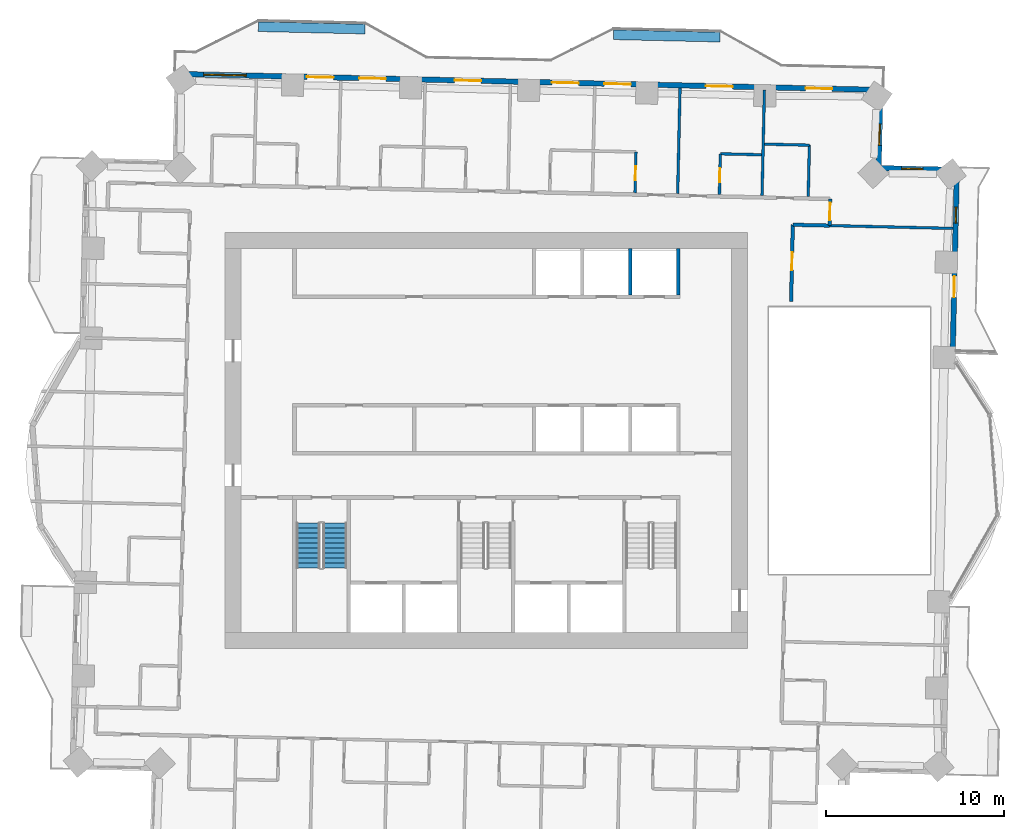
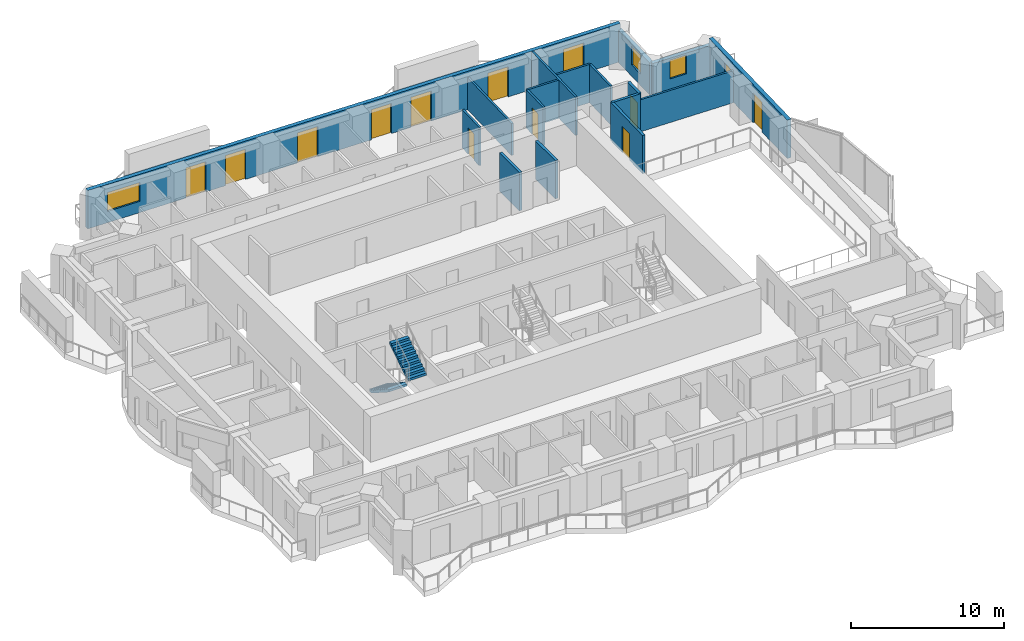
# One storey, part 10 of 15: 19 walls, 12 doors, 4 windows, 2 stair flights, 16 openings, 1 element without a shape of its own.
"""IFC4 building model written with IfcOpenShell, lengths in metres."""

from ifc_helpers import new_model, si_unit, direction, frame, frame_2d, origin, place, context, subcontext, project, spatial, polyline, rectangle, outline, extrude, material, layer, layer_set, type_object, element, fill, aggregate, save


model = new_model("IFC4")

# Units and contexts
model_context = context("Model", 3, precision=1e-05, world=origin(), true_north=direction((0.0, 1.0)))
body_context = subcontext(model_context, "Body", "Model", "MODEL_VIEW")
ifc_project = project(units=[si_unit("LENGTHUNIT", "METRE"), si_unit("AREAUNIT", "SQUARE_METRE"), si_unit("VOLUMEUNIT", "CUBIC_METRE"), si_unit("PLANEANGLEUNIT", "RADIAN"), si_unit("MASSUNIT", "GRAM", prefix="KILO")], contexts=[model_context])

# Site, building, storey
site_placement = place(None, origin())
site = spatial("IfcSite", under=ifc_project, at=site_placement, CompositionType="ELEMENT")
building_placement = place(site_placement, origin())
building = spatial("IfcBuilding", under=site, at=building_placement, Name="Mangrove Gate Tower", CompositionType="ELEMENT")
storey_placement = place(building_placement, frame((0.0, 0.0, 156.300048828125)))
storey = spatial("IfcBuildingStorey", under=building, at=storey_placement, Name="L39", CompositionType="ELEMENT", Elevation=156.300048828125)

# Walls
ifc_material_1 = material(Name="Concrete C60/75", Category="concrete")
ifc_layer_1 = layer(ifc_material_1, 0.199951171875)
ifc_layer_set_1 = layer_set([ifc_layer_1], Name="Core shaft wall 200 C60/75")
wall_type_1 = type_object("IfcWallType", Name="Core shaft wall 200 C60/75", PredefinedType="SHEAR", material=ifc_layer_set_1)
for number, where, z_axis, x_axis, name in (
    (1, (8.10009765625, 8.199951171875, 0.0), (0.0, 0.0, 1.0), (0.0, 1.0, 0.0), "WALL-L39-CORE-28"),
    (2, (10.800048828125, 8.199951171875, 0.0), (0.0, 0.0, 1.0), (0.0, 1.0, 0.0), "WALL-L39-CORE-29"),
):
    element("IfcWall", number, at=place(storey_placement, frame(where, z_axis=z_axis, x_axis=x_axis)), inside=storey, type_object=wall_type_1, Name=name, PredefinedType="SHEAR", context=body_context, shape_type="SweptSolid", body=[
        extrude(rectangle(XDim=2.60009765625, YDim=0.199951171875, at=frame_2d((1.300048828125, 0.0))), origin(), (0.0, 0.0, 1.0), 3.050048828125),
    ])

# Wall, opening, door
ifc_material_2 = material(Name="Gypsum board on steel stud, EI 60", Category="steel")
ifc_layer_2 = layer(ifc_material_2, 0.199951171875)
ifc_layer_set_2 = layer_set([ifc_layer_2], Name="Corridor wall EI 60")
wall_type_2 = type_object("IfcWallType", Name="Corridor wall EI 60", PredefinedType="PARTITIONING", material=ifc_layer_set_2)
wall_1_placement = place(storey_placement, frame((17.14892578125, 7.83203125, 0.0), z_axis=(0.0, 0.0, 1.0), x_axis=(0.022729111383, 0.999741660378, 0.0)))
wall_1 = element("IfcWall", 3, at=wall_1_placement, inside=storey, type_object=wall_type_2, Name="WALL-L39-048", PredefinedType="PARTITIONING", context=body_context, shape_type="SweptSolid", body=[
    extrude(rectangle(XDim=4.318115234375, YDim=0.199951171875, at=frame_2d((2.1591796875, 0.0))), origin(), (0.0, 0.0, 1.0), 3.050048828125),
])
opening_1_placement = place(wall_1_placement, frame((1.760986328125, 0.0, 0.0)))
opening_1 = element("IfcOpeningElement", 4, at=opening_1_placement, cuts=wall_1, Name="Opening AD", PredefinedType="OPENING", context=body_context, shape_type="SweptSolid", body=[
    extrude(rectangle(XDim=1.0, YDim=2.10009765625, at=frame_2d((0.5, 1.050048828125))), frame((0.0, 0.10986328125, 0.0), z_axis=(0.0, -1.0, 0.0), x_axis=(1.0, 0.0, 0.0)), (0.0, 0.0, 1.0), 0.219970703125),
])
ifc_material_3 = material(Name="Timber door leaf", Category="wood")
door_type_1 = type_object("IfcDoorType", Name="Amenity door 1000", OperationType="SINGLE_SWING_LEFT", PredefinedType="DOOR", material=ifc_material_3)
door_1_placement = place(opening_1_placement, origin())
door_1 = element("IfcDoor", 5, at=door_1_placement, inside=storey, type_object=door_type_1, Name="DOOR-L39-LNG-c3a", OperationType="SINGLE_SWING_RIGHT", OverallHeight=2.10009765625, OverallWidth=1.0, PredefinedType="DOOR", context=body_context, shape_type="SweptSolid", body=[
    extrude(rectangle(XDim=1.0, YDim=2.10009765625, at=frame_2d((0.5, 1.050048828125))), frame((0.0, 0.02490234375, 0.0), z_axis=(0.0, -1.0, 0.0), x_axis=(1.0, 0.0, 0.0)), (0.0, 0.0, 1.0), 0.050048828125),
])
fill(opening_1, door_1)

# Wall
wall_2_placement = place(storey_placement, frame((17.248046875, 12.14892578125, 0.0), z_axis=(0.0, 0.0, 1.0), x_axis=(0.999742931749, -0.02267312106, 0.0)))
element("IfcWall", 6, at=wall_2_placement, inside=storey, type_object=wall_type_2, Name="WALL-L39-054", PredefinedType="PARTITIONING", context=body_context, shape_type="SweptSolid", body=[
    extrude(rectangle(XDim=2.0673828125, YDim=0.199951171875, at=frame_2d((1.03369140625, 0.0))), origin(), (0.0, 0.0, 1.0), 3.050048828125),
])

# Wall, opening, door
wall_3_placement = place(storey_placement, frame((19.31689453125, 12.10205078125, 0.0), z_axis=(0.0, 0.0, 1.0), x_axis=(0.02279537805, 0.999740151609, 0.0)))
wall_3 = element("IfcWall", 7, at=wall_3_placement, inside=storey, type_object=wall_type_2, Name="WALL-L39-056", PredefinedType="PARTITIONING", context=body_context, shape_type="SweptSolid", body=[
    extrude(rectangle(XDim=1.49951171875, YDim=0.199951171875, at=frame_2d((0.749755859375, 0.0))), origin(), (0.0, 0.0, 1.0), 3.050048828125),
])
opening_2_placement = place(wall_3_placement, frame((0.300048828125, 0.0, 0.0)))
opening_2 = element("IfcOpeningElement", 8, at=opening_2_placement, cuts=wall_3, Name="Opening AD", PredefinedType="OPENING", context=body_context, shape_type="SweptSolid", body=[
    extrude(rectangle(XDim=1.0, YDim=2.10009765625, at=frame_2d((0.5, 1.050048828125))), frame((0.0, 0.10986328125, 0.0), z_axis=(0.0, -1.0, 0.0), x_axis=(1.0, 0.0, 0.0)), (0.0, 0.0, 1.0), 0.219970703125),
])
door_2_placement = place(opening_2_placement, origin())
door_2 = element("IfcDoor", 9, at=door_2_placement, inside=storey, type_object=door_type_1, Name="DOOR-L39-GAM-c3a", OperationType="SINGLE_SWING_LEFT", OverallHeight=2.10009765625, OverallWidth=1.0, PredefinedType="DOOR", context=body_context, shape_type="SweptSolid", body=[
    extrude(rectangle(XDim=1.0, YDim=2.10009765625, at=frame_2d((0.5, 1.050048828125))), frame((0.0, 0.02490234375, 0.0), z_axis=(0.0, -1.0, 0.0), x_axis=(1.0, 0.0, 0.0)), (0.0, 0.0, 1.0), 0.050048828125),
])
fill(opening_2, door_2)

# Wall, openings, door, window
ifc_material_4 = material(Name="Limestone", Category="masonry")
ifc_layer_3 = layer(ifc_material_4, 0.0400390625, Name="Limestone cladding")
ifc_material_5 = material(Name="Ventilated air gap")
ifc_layer_4 = layer(ifc_material_5, 0.0400390625, Name="Ventilated cavity")
ifc_material_6 = material(Name="Mineral wool insulation")
ifc_layer_5 = layer(ifc_material_6, 0.06005859375, Name="Insulation")
ifc_material_7 = material(Name="Breather membrane")
ifc_layer_6 = layer(ifc_material_7, 0.001953125, Name="Breather membrane")
ifc_material_8 = material(Name="Concrete C20/25 blockwork", Category="masonry")
ifc_layer_7 = layer(ifc_material_8, 0.14990234375, Name="Blockwork backing wall")
ifc_material_9 = material(Name="Gypsum plaster")
ifc_layer_8 = layer(ifc_material_9, 0.008056640625, Name="Internal plaster")
ifc_layer_set_3 = layer_set([ifc_layer_3, ifc_layer_4, ifc_layer_5, ifc_layer_6, ifc_layer_7, ifc_layer_8], Name="External wall 300 limestone cladding")
wall_type_3 = type_object("IfcWallType", Name="External wall 300 limestone cladding", PredefinedType="SOLIDWALL", material=ifc_layer_set_3)
wall_4_placement = place(storey_placement, frame((26.238037109375, 4.613037109375, 0.0), z_axis=(0.0, 0.0, 1.0), x_axis=(0.022761056451, 0.999740933597, 0.0)))
wall_4 = element("IfcWall", 10, at=wall_4_placement, inside=storey, type_object=wall_type_3, Name="WALL-L39-E2", PredefinedType="SOLIDWALL", context=body_context, shape_type="SweptSolid", body=[
    extrude(rectangle(XDim=10.629638671875, YDim=0.300048828125, at=frame_2d((5.31494140625, 0.0))), origin(), (0.0, 0.0, 1.0), 3.050048828125),
])
opening_3_placement = place(wall_4_placement, frame((3.452880859375, 0.0, 0.0)))
opening_3 = element("IfcOpeningElement", 11, at=opening_3_placement, cuts=wall_4, Name="Opening BD2", PredefinedType="OPENING", context=body_context, shape_type="SweptSolid", body=[
    extrude(rectangle(XDim=1.199951171875, YDim=2.39990234375, at=frame_2d((0.60009765625, 1.199951171875))), frame((0.0, 0.159912109375, 0.0), z_axis=(0.0, -1.0, 0.0), x_axis=(1.0, 0.0, 0.0)), (0.0, 0.0, 1.0), 0.320068359375),
])
opening_4_placement = place(wall_4_placement, frame((7.62890625, 0.0, 0.89990234375)))
opening_4 = element("IfcOpeningElement", 12, at=opening_4_placement, cuts=wall_4, Name="Opening W5", PredefinedType="OPENING", context=body_context, shape_type="SweptSolid", body=[
    extrude(rectangle(XDim=0.89990234375, YDim=1.5, at=frame_2d((0.449951171875, 0.75))), frame((0.0, 0.159912109375, 0.0), z_axis=(0.0, -1.0, 0.0), x_axis=(1.0, 0.0, 0.0)), (0.0, 0.0, 1.0), 0.320068359375),
])
ifc_material_10 = material(Name="Aluminium frame with laminated clear glass", Category="aluminium")
door_type_2 = type_object("IfcDoorType", Name="Balcony sliding door 1200x2400", OperationType="SLIDING_TO_LEFT", PredefinedType="DOOR", material=ifc_material_10)
door_3_placement = place(opening_3_placement, origin())
door_3 = element("IfcDoor", 13, at=door_3_placement, inside=storey, type_object=door_type_2, Name="DOOR-L39-E2-1", OperationType="SLIDING_TO_LEFT", OverallHeight=2.39990234375, OverallWidth=1.199951171875, PredefinedType="DOOR", context=body_context, shape_type="SweptSolid", body=[
    extrude(rectangle(XDim=1.199951171875, YDim=2.39990234375, at=frame_2d((0.60009765625, 1.199951171875))), frame((0.0, 0.02490234375, 0.0), z_axis=(0.0, -1.0, 0.0), x_axis=(1.0, 0.0, 0.0)), (0.0, 0.0, 1.0), 0.050048828125),
])
fill(opening_3, door_3)
ifc_material_11 = material(Name="Aluminium frame with double-glazed low-e glass", Category="aluminium")
window_type_1 = type_object("IfcWindowType", Name="Narrow window 900x1500", PartitioningType="SINGLE_PANEL", PredefinedType="WINDOW", material=ifc_material_11)
window_1_placement = place(opening_4_placement, origin())
window_1 = element("IfcWindow", 14, at=window_1_placement, inside=storey, type_object=window_type_1, Name="WIN-L39-E2-2", OverallHeight=1.5, OverallWidth=0.89990234375, PartitioningType="SINGLE_PANEL", PredefinedType="WINDOW", context=body_context, shape_type="SweptSolid", body=[
    extrude(rectangle(XDim=0.89990234375, YDim=1.5, at=frame_2d((0.449951171875, 0.75))), frame((0.0, 0.030029296875, 0.0), z_axis=(0.0, -1.0, 0.0), x_axis=(1.0, 0.0, 0.0)), (0.0, 0.0, 1.0), 0.06005859375),
])
fill(opening_4, window_1)

# Wall, opening, window
wall_5_placement = place(storey_placement, frame((26.47998046875, 15.239990234375, 0.0), z_axis=(0.0, 0.0, 1.0), x_axis=(-0.999741204967, 0.022749133868, 0.0)))
wall_5 = element("IfcWall", 15, at=wall_5_placement, inside=storey, type_object=wall_type_3, Name="WALL-L39-N3", PredefinedType="SOLIDWALL", context=body_context, shape_type="SweptSolid", body=[
    extrude(rectangle(XDim=4.400146484375, YDim=0.300048828125, at=frame_2d((2.2001953125, 0.0))), origin(), (0.0, 0.0, 1.0), 2.550048828125),
])
opening_5_placement = place(wall_5_placement, frame((1.909912109375, 0.0, 0.89990234375)))
opening_5 = element("IfcOpeningElement", 16, at=opening_5_placement, cuts=wall_5, Name="Opening W1", PredefinedType="OPENING", context=body_context, shape_type="SweptSolid", body=[
    extrude(rectangle(XDim=1.199951171875, YDim=1.5, at=frame_2d((0.60009765625, 0.75))), frame((0.0, 0.159912109375, 0.0), z_axis=(0.0, -1.0, 0.0), x_axis=(1.0, 0.0, 0.0)), (0.0, 0.0, 1.0), 0.320068359375),
])
ifc_material_12 = material(Name="Aluminium frame with double-glazed low-e glass", Category="aluminium")
window_type_2 = type_object("IfcWindowType", Name="Side lite 1200x1500", PartitioningType="SINGLE_PANEL", PredefinedType="WINDOW", material=ifc_material_12)
window_2_placement = place(opening_5_placement, origin())
window_2 = element("IfcWindow", 17, at=window_2_placement, inside=storey, type_object=window_type_2, Name="WIN-L39-N3-1", OverallHeight=1.5, OverallWidth=1.199951171875, PartitioningType="SINGLE_PANEL", PredefinedType="WINDOW", context=body_context, shape_type="SweptSolid", body=[
    extrude(rectangle(XDim=1.199951171875, YDim=1.5, at=frame_2d((0.60009765625, 0.75))), frame((0.0, 0.030029296875, 0.0), z_axis=(0.0, -1.0, 0.0), x_axis=(1.0, 0.0, 0.0)), (0.0, 0.0, 1.0), 0.06005859375),
])
fill(opening_5, window_2)

wall_6_placement = place(storey_placement, frame((22.0810546875, 15.340087890625, 0.0), z_axis=(0.0, 0.0, 1.0), x_axis=(0.022693676786, 0.999742465355, 0.0)))
wall_6 = element("IfcWall", 18, at=wall_6_placement, inside=storey, type_object=wall_type_3, Name="WALL-L39-E4", PredefinedType="SOLIDWALL", context=body_context, shape_type="SweptSolid", body=[
    extrude(rectangle(XDim=4.400146484375, YDim=0.300048828125, at=frame_2d((2.2001953125, 0.0))), origin(), (0.0, 0.0, 1.0), 2.550048828125),
])
opening_6_placement = place(wall_6_placement, frame((1.277099609375, 0.0, 0.89990234375)))
opening_6 = element("IfcOpeningElement", 19, at=opening_6_placement, cuts=wall_6, Name="Opening W1", PredefinedType="OPENING", context=body_context, shape_type="SweptSolid", body=[
    extrude(rectangle(XDim=1.199951171875, YDim=1.5, at=frame_2d((0.60009765625, 0.75))), frame((0.0, 0.159912109375, 0.0), z_axis=(0.0, -1.0, 0.0), x_axis=(1.0, 0.0, 0.0)), (0.0, 0.0, 1.0), 0.320068359375),
])
window_3_placement = place(opening_6_placement, origin())
window_3 = element("IfcWindow", 20, at=window_3_placement, inside=storey, type_object=window_type_2, Name="WIN-L39-E4-1", OverallHeight=1.5, OverallWidth=1.199951171875, PartitioningType="SINGLE_PANEL", PredefinedType="WINDOW", context=body_context, shape_type="SweptSolid", body=[
    extrude(rectangle(XDim=1.199951171875, YDim=1.5, at=frame_2d((0.60009765625, 0.75))), frame((0.0, 0.030029296875, 0.0), z_axis=(0.0, -1.0, 0.0), x_axis=(1.0, 0.0, 0.0)), (0.0, 0.0, 1.0), 0.06005859375),
])
fill(opening_6, window_3)

# Wall, openings, doors, window
wall_7_placement = place(storey_placement, frame((22.180908203125, 19.739013671875, 0.0), z_axis=(0.0, 0.0, 1.0), x_axis=(-0.999742618326, 0.022686936846, 0.0)))
wall_7 = element("IfcWall", 21, at=wall_7_placement, inside=storey, type_object=wall_type_3, Name="WALL-L39-N5", PredefinedType="SOLIDWALL", context=body_context, shape_type="SweptSolid", body=[
    extrude(rectangle(XDim=39.580078125, YDim=0.300048828125, at=frame_2d((19.7900390625, 0.0))), origin(), (0.0, 0.0, 1.0), 3.050048828125),
])
opening_7_placement = place(wall_7_placement, frame((2.716064453125, 0.0, 0.0)))
opening_7 = element("IfcOpeningElement", 22, at=opening_7_placement, cuts=wall_7, Name="Opening BD1", PredefinedType="OPENING", context=body_context, shape_type="SweptSolid", body=[
    extrude(rectangle(XDim=1.5, YDim=2.39990234375, at=frame_2d((0.75, 1.199951171875))), frame((0.0, 0.159912109375, 0.0), z_axis=(0.0, -1.0, 0.0), x_axis=(1.0, 0.0, 0.0)), (0.0, 0.0, 1.0), 0.320068359375),
])
opening_8_placement = place(wall_7_placement, frame((8.325927734375, 0.0, 0.0)))
opening_8 = element("IfcOpeningElement", 23, at=opening_8_placement, cuts=wall_7, Name="Opening BD1", PredefinedType="OPENING", context=body_context, shape_type="SweptSolid", body=[
    extrude(rectangle(XDim=1.5, YDim=2.39990234375, at=frame_2d((0.75, 1.199951171875))), frame((0.0, 0.159912109375, 0.0), z_axis=(0.0, -1.0, 0.0), x_axis=(1.0, 0.0, 0.0)), (0.0, 0.0, 1.0), 0.320068359375),
])
opening_9_placement = place(wall_7_placement, frame((14.049072265625, 0.0, 0.0)))
opening_9 = element("IfcOpeningElement", 24, at=opening_9_placement, cuts=wall_7, Name="Opening BD1", PredefinedType="OPENING", context=body_context, shape_type="SweptSolid", body=[
    extrude(rectangle(XDim=1.5, YDim=2.39990234375, at=frame_2d((0.75, 1.199951171875))), frame((0.0, 0.159912109375, 0.0), z_axis=(0.0, -1.0, 0.0), x_axis=(1.0, 0.0, 0.0)), (0.0, 0.0, 1.0), 0.320068359375),
])
opening_10_placement = place(wall_7_placement, frame((16.998046875, 0.0, 0.0)))
opening_10 = element("IfcOpeningElement", 25, at=opening_10_placement, cuts=wall_7, Name="Opening BD1", PredefinedType="OPENING", context=body_context, shape_type="SweptSolid", body=[
    extrude(rectangle(XDim=1.5, YDim=2.39990234375, at=frame_2d((0.75, 1.199951171875))), frame((0.0, 0.159912109375, 0.0), z_axis=(0.0, -1.0, 0.0), x_axis=(1.0, 0.0, 0.0)), (0.0, 0.0, 1.0), 0.320068359375),
])
opening_11_placement = place(wall_7_placement, frame((22.47998046875, 0.0, 0.0)))
opening_11 = element("IfcOpeningElement", 26, at=opening_11_placement, cuts=wall_7, Name="Opening BD1", PredefinedType="OPENING", context=body_context, shape_type="SweptSolid", body=[
    extrude(rectangle(XDim=1.5, YDim=2.39990234375, at=frame_2d((0.75, 1.199951171875))), frame((0.0, 0.159912109375, 0.0), z_axis=(0.0, -1.0, 0.0), x_axis=(1.0, 0.0, 0.0)), (0.0, 0.0, 1.0), 0.320068359375),
])
opening_12_placement = place(wall_7_placement, frame((27.845947265625, 0.0, 0.0)))
opening_12 = element("IfcOpeningElement", 27, at=opening_12_placement, cuts=wall_7, Name="Opening BD1", PredefinedType="OPENING", context=body_context, shape_type="SweptSolid", body=[
    extrude(rectangle(XDim=1.5, YDim=2.39990234375, at=frame_2d((0.75, 1.199951171875))), frame((0.0, 0.159912109375, 0.0), z_axis=(0.0, -1.0, 0.0), x_axis=(1.0, 0.0, 0.0)), (0.0, 0.0, 1.0), 0.320068359375),
])
opening_13_placement = place(wall_7_placement, frame((30.7939453125, 0.0, 0.0)))
opening_13 = element("IfcOpeningElement", 28, at=opening_13_placement, cuts=wall_7, Name="Opening BD1", PredefinedType="OPENING", context=body_context, shape_type="SweptSolid", body=[
    extrude(rectangle(XDim=1.5, YDim=2.39990234375, at=frame_2d((0.75, 1.199951171875))), frame((0.0, 0.159912109375, 0.0), z_axis=(0.0, -1.0, 0.0), x_axis=(1.0, 0.0, 0.0)), (0.0, 0.0, 1.0), 0.320068359375),
])
opening_14_placement = place(wall_7_placement, frame((35.705078125, 0.0, 0.89990234375)))
opening_14 = element("IfcOpeningElement", 29, at=opening_14_placement, cuts=wall_7, Name="Opening W2", PredefinedType="OPENING", context=body_context, shape_type="SweptSolid", body=[
    extrude(rectangle(XDim=2.39990234375, YDim=1.5, at=frame_2d((1.199951171875, 0.75))), frame((0.0, 0.159912109375, 0.0), z_axis=(0.0, -1.0, 0.0), x_axis=(1.0, 0.0, 0.0)), (0.0, 0.0, 1.0), 0.320068359375),
])
ifc_material_13 = material(Name="Aluminium frame with laminated clear glass", Category="aluminium")
door_type_3 = type_object("IfcDoorType", Name="Balcony sliding door 1500x2400", OperationType="SLIDING_TO_LEFT", PredefinedType="DOOR", material=ifc_material_13)
door_4_placement = place(opening_7_placement, origin())
door_4 = element("IfcDoor", 30, at=door_4_placement, inside=storey, type_object=door_type_3, Name="DOOR-L39-N5-1", OperationType="SLIDING_TO_LEFT", OverallHeight=2.39990234375, OverallWidth=1.5, PredefinedType="DOOR", context=body_context, shape_type="SweptSolid", body=[
    extrude(rectangle(XDim=1.5, YDim=2.39990234375, at=frame_2d((0.75, 1.199951171875))), frame((0.0, 0.02490234375, 0.0), z_axis=(0.0, -1.0, 0.0), x_axis=(1.0, 0.0, 0.0)), (0.0, 0.0, 1.0), 0.050048828125),
])
fill(opening_7, door_4)
door_5_placement = place(opening_8_placement, origin())
door_5 = element("IfcDoor", 31, at=door_5_placement, inside=storey, type_object=door_type_3, Name="DOOR-L39-N5-2", OperationType="SLIDING_TO_LEFT", OverallHeight=2.39990234375, OverallWidth=1.5, PredefinedType="DOOR", context=body_context, shape_type="SweptSolid", body=[
    extrude(rectangle(XDim=1.5, YDim=2.39990234375, at=frame_2d((0.75, 1.199951171875))), frame((0.0, 0.02490234375, 0.0), z_axis=(0.0, -1.0, 0.0), x_axis=(1.0, 0.0, 0.0)), (0.0, 0.0, 1.0), 0.050048828125),
])
fill(opening_8, door_5)
door_6_placement = place(opening_9_placement, origin())
door_6 = element("IfcDoor", 32, at=door_6_placement, inside=storey, type_object=door_type_3, Name="DOOR-L39-N5-3", OperationType="SLIDING_TO_LEFT", OverallHeight=2.39990234375, OverallWidth=1.5, PredefinedType="DOOR", context=body_context, shape_type="SweptSolid", body=[
    extrude(rectangle(XDim=1.5, YDim=2.39990234375, at=frame_2d((0.75, 1.199951171875))), frame((0.0, 0.02490234375, 0.0), z_axis=(0.0, -1.0, 0.0), x_axis=(1.0, 0.0, 0.0)), (0.0, 0.0, 1.0), 0.050048828125),
])
fill(opening_9, door_6)
door_7_placement = place(opening_10_placement, origin())
door_7 = element("IfcDoor", 33, at=door_7_placement, inside=storey, type_object=door_type_3, Name="DOOR-L39-N5-4", OperationType="SLIDING_TO_LEFT", OverallHeight=2.39990234375, OverallWidth=1.5, PredefinedType="DOOR", context=body_context, shape_type="SweptSolid", body=[
    extrude(rectangle(XDim=1.5, YDim=2.39990234375, at=frame_2d((0.75, 1.199951171875))), frame((0.0, 0.02490234375, 0.0), z_axis=(0.0, -1.0, 0.0), x_axis=(1.0, 0.0, 0.0)), (0.0, 0.0, 1.0), 0.050048828125),
])
fill(opening_10, door_7)
door_8_placement = place(opening_11_placement, origin())
door_8 = element("IfcDoor", 34, at=door_8_placement, inside=storey, type_object=door_type_3, Name="DOOR-L39-N5-5", OperationType="SLIDING_TO_LEFT", OverallHeight=2.39990234375, OverallWidth=1.5, PredefinedType="DOOR", context=body_context, shape_type="SweptSolid", body=[
    extrude(rectangle(XDim=1.5, YDim=2.39990234375, at=frame_2d((0.75, 1.199951171875))), frame((0.0, 0.02490234375, 0.0), z_axis=(0.0, -1.0, 0.0), x_axis=(1.0, 0.0, 0.0)), (0.0, 0.0, 1.0), 0.050048828125),
])
fill(opening_11, door_8)
door_9_placement = place(opening_12_placement, origin())
door_9 = element("IfcDoor", 35, at=door_9_placement, inside=storey, type_object=door_type_3, Name="DOOR-L39-N5-6", OperationType="SLIDING_TO_LEFT", OverallHeight=2.39990234375, OverallWidth=1.5, PredefinedType="DOOR", context=body_context, shape_type="SweptSolid", body=[
    extrude(rectangle(XDim=1.5, YDim=2.39990234375, at=frame_2d((0.75, 1.199951171875))), frame((0.0, 0.02490234375, 0.0), z_axis=(0.0, -1.0, 0.0), x_axis=(1.0, 0.0, 0.0)), (0.0, 0.0, 1.0), 0.050048828125),
])
fill(opening_12, door_9)
door_10_placement = place(opening_13_placement, origin())
door_10 = element("IfcDoor", 36, at=door_10_placement, inside=storey, type_object=door_type_3, Name="DOOR-L39-N5-7", OperationType="SLIDING_TO_LEFT", OverallHeight=2.39990234375, OverallWidth=1.5, PredefinedType="DOOR", context=body_context, shape_type="SweptSolid", body=[
    extrude(rectangle(XDim=1.5, YDim=2.39990234375, at=frame_2d((0.75, 1.199951171875))), frame((0.0, 0.02490234375, 0.0), z_axis=(0.0, -1.0, 0.0), x_axis=(1.0, 0.0, 0.0)), (0.0, 0.0, 1.0), 0.050048828125),
])
fill(opening_13, door_10)
ifc_material_14 = material(Name="Aluminium frame with double-glazed low-e glass", Category="aluminium")
window_type_3 = type_object("IfcWindowType", Name="Corner room window 2400x1500", PartitioningType="DOUBLE_PANEL_VERTICAL", PredefinedType="WINDOW", material=ifc_material_14)
window_4_placement = place(opening_14_placement, origin())
window_4 = element("IfcWindow", 37, at=window_4_placement, inside=storey, type_object=window_type_3, Name="WIN-L39-N5-8", OverallHeight=1.5, OverallWidth=2.39990234375, PartitioningType="DOUBLE_PANEL_VERTICAL", PredefinedType="WINDOW", context=body_context, shape_type="SweptSolid", body=[
    extrude(rectangle(XDim=2.39990234375, YDim=1.5, at=frame_2d((1.199951171875, 0.75))), frame((0.0, 0.030029296875, 0.0), z_axis=(0.0, -1.0, 0.0), x_axis=(1.0, 0.0, 0.0)), (0.0, 0.0, 1.0), 0.06005859375),
])
fill(opening_14, window_4)

# Wall
ifc_material_15 = material(Name="Gypsum board on steel stud, EI 60", Category="steel")
ifc_layer_9 = layer(ifc_material_15, 0.14990234375)
ifc_layer_set_4 = layer_set([ifc_layer_9], Name="Party wall 150 EI 60")
wall_type_4 = type_object("IfcWallType", Name="Party wall 150 EI 60", PredefinedType="PARTITIONING", material=ifc_layer_set_4)
wall_8_placement = place(storey_placement, frame((19.31494140625, 12.10205078125, 0.0), z_axis=(0.0, 0.0, 1.0), x_axis=(0.999741072391, -0.022754959327, 0.0)))
element("IfcWall", 38, at=wall_8_placement, inside=storey, type_object=wall_type_4, Name="WALL-L39-055", PredefinedType="PARTITIONING", context=body_context, shape_type="SweptSolid", body=[
    extrude(rectangle(XDim=6.941650390625, YDim=0.14990234375, at=frame_2d((3.470703125, 0.0))), origin(), (0.0, 0.0, 1.0), 2.550048828125),
])

# Wall, opening, door
wall_9_placement = place(storey_placement, frame((8.365966796875, 13.950927734375, 0.0), z_axis=(0.0, 0.0, 1.0), x_axis=(0.022612884682, 0.999744296031, 0.0)))
wall_9 = element("IfcWall", 39, at=wall_9_placement, inside=storey, type_object=wall_type_4, Name="WALL-L39-068", PredefinedType="PARTITIONING", context=body_context, shape_type="SweptSolid", body=[
    extrude(rectangle(XDim=2.299560546875, YDim=0.14990234375, at=frame_2d((1.14990234375, 0.0))), origin(), (0.0, 0.0, 1.0), 3.050048828125),
])
opening_15_placement = place(wall_9_placement, frame((0.699951171875, 0.0, 0.0)))
opening_15 = element("IfcOpeningElement", 40, at=opening_15_placement, cuts=wall_9, Name="Opening ED", PredefinedType="OPENING", context=body_context, shape_type="SweptSolid", body=[
    extrude(rectangle(XDim=0.800048828125, YDim=2.10009765625, at=frame_2d((0.39990234375, 1.050048828125))), frame((0.0, 0.0849609375, 0.0), z_axis=(0.0, -1.0, 0.0), x_axis=(1.0, 0.0, 0.0)), (0.0, 0.0, 1.0), 0.169921875),
])
ifc_material_16 = material(Name="Timber door leaf", Category="wood")
door_type_4 = type_object("IfcDoorType", Name="En-suite door 800", OperationType="SINGLE_SWING_LEFT", PredefinedType="DOOR", material=ifc_material_16)
door_11_placement = place(opening_15_placement, origin())
door_11 = element("IfcDoor", 41, at=door_11_placement, inside=storey, type_object=door_type_4, Name="DOOR-L39-ENS-c410", OperationType="SINGLE_SWING_RIGHT", OverallHeight=2.10009765625, OverallWidth=0.800048828125, PredefinedType="DOOR", context=body_context, shape_type="SweptSolid", body=[
    extrude(rectangle(XDim=0.800048828125, YDim=2.10009765625, at=frame_2d((0.39990234375, 1.050048828125))), frame((0.0, 0.02490234375, 0.0), z_axis=(0.0, -1.0, 0.0), x_axis=(1.0, 0.0, 0.0)), (0.0, 0.0, 1.0), 0.050048828125),
])
fill(opening_15, door_11)

# Wall
wall_10_placement = place(storey_placement, frame((10.764892578125, 13.89599609375, 0.0), z_axis=(0.0, 0.0, 1.0), x_axis=(0.022688785847, 0.999742576365, 0.0)))
element("IfcWall", 42, at=wall_10_placement, inside=storey, type_object=wall_type_4, Name="WALL-L39-069", PredefinedType="PARTITIONING", context=body_context, shape_type="SweptSolid", body=[
    extrude(rectangle(XDim=5.950439453125, YDim=0.14990234375, at=frame_2d((2.97509765625, 0.0))), origin(), (0.0, 0.0, 1.0), 2.550048828125),
])

# Wall, opening, door
wall_11_placement = place(storey_placement, frame((13.114013671875, 13.843017578125, 0.0), z_axis=(0.0, 0.0, 1.0), x_axis=(0.023037316498, 0.999734605807, 0.0)))
wall_11 = element("IfcWall", 43, at=wall_11_placement, inside=storey, type_object=wall_type_4, Name="WALL-L39-070", PredefinedType="PARTITIONING", context=body_context, shape_type="SweptSolid", body=[
    extrude(rectangle(XDim=2.299560546875, YDim=0.14990234375, at=frame_2d((1.14990234375, 0.0))), origin(), (0.0, 0.0, 1.0), 3.050048828125),
])
opening_16_placement = place(wall_11_placement, frame((0.699951171875, 0.0, 0.0)))
opening_16 = element("IfcOpeningElement", 44, at=opening_16_placement, cuts=wall_11, Name="Opening ED", PredefinedType="OPENING", context=body_context, shape_type="SweptSolid", body=[
    extrude(rectangle(XDim=0.800048828125, YDim=2.10009765625, at=frame_2d((0.39990234375, 1.050048828125))), frame((0.0, 0.0849609375, 0.0), z_axis=(0.0, -1.0, 0.0), x_axis=(1.0, 0.0, 0.0)), (0.0, 0.0, 1.0), 0.169921875),
])
door_12_placement = place(opening_16_placement, origin())
door_12 = element("IfcDoor", 45, at=door_12_placement, inside=storey, type_object=door_type_4, Name="DOOR-L39-ENS-c309", OperationType="SINGLE_SWING_LEFT", OverallHeight=2.10009765625, OverallWidth=0.800048828125, PredefinedType="DOOR", context=body_context, shape_type="SweptSolid", body=[
    extrude(rectangle(XDim=0.800048828125, YDim=2.10009765625, at=frame_2d((0.39990234375, 1.050048828125))), frame((0.0, 0.02490234375, 0.0), z_axis=(0.0, -1.0, 0.0), x_axis=(1.0, 0.0, 0.0)), (0.0, 0.0, 1.0), 0.050048828125),
])
fill(opening_16, door_12)

# Walls
wall_12_placement = place(storey_placement, frame((15.513916015625, 13.7880859375, 0.0), z_axis=(0.0, 0.0, 1.0), x_axis=(0.022688785847, 0.999742576365, 0.0)))
element("IfcWall", 46, at=wall_12_placement, inside=storey, type_object=wall_type_4, Name="WALL-L39-071", PredefinedType="PARTITIONING", context=body_context, shape_type="SweptSolid", body=[
    extrude(rectangle(XDim=5.950439453125, YDim=0.14990234375, at=frame_2d((2.97509765625, 0.0))), origin(), (0.0, 0.0, 1.0), 3.050048828125),
])
wall_13_placement = place(storey_placement, frame((18.113037109375, 13.72900390625, 0.0), z_axis=(0.0, 0.0, 1.0), x_axis=(0.022725229174, 0.999741748633, 0.0)))
element("IfcWall", 47, at=wall_13_placement, inside=storey, type_object=wall_type_4, Name="WALL-L39-072", PredefinedType="PARTITIONING", context=body_context, shape_type="SweptSolid", body=[
    extrude(rectangle(XDim=2.900634765625, YDim=0.14990234375, at=frame_2d((1.4501953125, 0.0))), origin(), (0.0, 0.0, 1.0), 3.050048828125),
])
wall_14_placement = place(storey_placement, frame((13.1669921875, 16.14208984375, 0.0), z_axis=(0.0, 0.0, 1.0), x_axis=(0.999740260747, -0.02279059109, 0.0)))
element("IfcWall", 48, at=wall_14_placement, inside=storey, type_object=wall_type_4, Name="WALL-L39-076", PredefinedType="PARTITIONING", context=body_context, shape_type="SweptSolid", body=[
    extrude(rectangle(XDim=2.324462890625, YDim=0.14990234375, at=frame_2d((1.162109375, 0.0))), origin(), (0.0, 0.0, 1.0), 3.050048828125),
])
wall_15_placement = place(storey_placement, frame((15.655029296875, 16.68603515625, 0.0), z_axis=(0.0, 0.0, 1.0), x_axis=(0.99974392816, -0.022629142889, 0.0)))
element("IfcWall", 49, at=wall_15_placement, inside=storey, type_object=wall_type_4, Name="WALL-L39-078", PredefinedType="PARTITIONING", context=body_context, shape_type="SweptSolid", body=[
    extrude(rectangle(XDim=2.524658203125, YDim=0.14990234375, at=frame_2d((1.26220703125, 0.0))), origin(), (0.0, 0.0, 1.0), 3.050048828125),
])
ifc_material_17 = material(Name="Concrete C32/40", Category="concrete")
ifc_layer_10 = layer(ifc_material_17, 0.199951171875, Name="Planter trough wall")
ifc_material_18 = material(Name="Bituminous waterproofing membrane")
ifc_layer_11 = layer(ifc_material_18, 0.0048828125, Name="Waterproofing")
ifc_material_19 = material(Name="Drainage board and gravel")
ifc_layer_12 = layer(ifc_material_19, 0.044921875, Name="Drainage layer")
ifc_material_20 = material(Name="Planting soil")
ifc_layer_13 = layer(ifc_material_20, 0.300048828125, Name="Growing medium")
ifc_layer_set_5 = layer_set([ifc_layer_10, ifc_layer_11, ifc_layer_12, ifc_layer_13], Name="Planter wall 550 C32/40")
wall_type_5 = type_object("IfcWallType", Name="Planter wall 550 C32/40", PredefinedType="USERDEFINED", material=ifc_layer_set_5)
wall_16_placement = place(storey_placement, frame((7.156982421875, 22.844970703125, 0.0), z_axis=(0.0, 0.0, 1.0), x_axis=(0.999743178102, -0.022662255828, 0.0)))
element("IfcWall", 50, at=wall_16_placement, inside=storey, type_object=wall_type_5, Name="PLANTER L39 N0.1", ObjectType="PLANTER", PredefinedType="USERDEFINED", context=body_context, shape_type="SweptSolid", body=[
    extrude(rectangle(XDim=6.00048828125, YDim=0.550048828125, at=frame_2d((3.000244140625, 0.0))), origin(), (0.0, 0.0, 1.0), 0.800048828125),
])
wall_17_placement = place(storey_placement, frame((-12.8369140625, 23.299072265625, 0.0), z_axis=(0.0, 0.0, 1.0), x_axis=(0.999743073592, -0.022666865795, 0.0)))
element("IfcWall", 51, at=wall_17_placement, inside=storey, type_object=wall_type_5, Name="PLANTER L39 N1.1", ObjectType="PLANTER", PredefinedType="USERDEFINED", context=body_context, shape_type="SweptSolid", body=[
    extrude(rectangle(XDim=5.999267578125, YDim=0.550048828125, at=frame_2d((2.99951171875, 0.0))), origin(), (0.0, 0.0, 1.0), 0.800048828125),
])

# Stair, stair flights
ifc_material_21 = material(Name="Concrete C40/50", Category="concrete")
stair_type = type_object("IfcStairType", Name="Core stair 1350", PredefinedType="HALF_TURN_STAIR", material=ifc_material_21)
stair_placement = place(storey_placement, origin())
stair = element("IfcStair", 52, at=stair_placement, inside=storey, type_object=stair_type, Name="L39 Stair 1", PredefinedType="HALF_TURN_STAIR")
ifc_material_22 = material(Name="Concrete C40/50", Category="concrete")
stair_flight_type = type_object("IfcStairFlightType", Name="Core stair flight 1350", PredefinedType="STRAIGHT", material=ifc_material_22)
stair_flight_1_placement = place(storey_placement, frame((-10.02490234375, -4.64990234375, 0.0), z_axis=(0.0, 0.0, 1.0), x_axis=(0.0, -1.0, 0.0)))
stair_flight_1 = element("IfcStairFlight", 53, at=stair_flight_1_placement, type_object=stair_flight_type, Name="ST1 flight 1", NumberOfRisers=10, NumberOfTreads=9, PredefinedType="STRAIGHT", RiserHeight=0.18, TreadLength=0.28, context=body_context, shape_type="SweptSolid", body=[
    extrude(outline(polyline([(0.0, 0.0), (0.0, 0.179931640625), (0.280029296875, 0.179931640625), (0.280029296875, 0.360107421875), (0.56005859375, 0.360107421875), (0.56005859375, 0.5400390625), (0.840087890625, 0.5400390625), (0.840087890625, 0.719970703125), (1.1201171875, 0.719970703125), (1.1201171875, 0.89990234375), (1.39990234375, 0.89990234375), (1.39990234375, 1.080078125), (1.679931640625, 1.080078125), (1.679931640625, 1.260009765625), (1.9599609375, 1.260009765625), (1.9599609375, 1.43994140625), (2.239990234375, 1.43994140625), (2.239990234375, 1.6201171875), (2.52001953125, 1.6201171875), (2.52001953125, 1.800048828125), (2.52001953125, 1.44189453125), (0.277099609375, 0.0), (0.0, 0.0)])), frame((0.0, 0.675048828125, 0.0), z_axis=(0.0, -1.0, 0.0), x_axis=(1.0, 0.0, 0.0)), (0.0, 0.0, 1.0), 1.35009765625),
])
stair_flight_2_placement = place(storey_placement, frame((-8.52490234375, -7.169921875, 1.800048828125), z_axis=(0.0, 0.0, 1.0), x_axis=(0.0, 1.0, 0.0)))
stair_flight_2 = element("IfcStairFlight", 54, at=stair_flight_2_placement, type_object=stair_flight_type, Name="ST1 flight 2", NumberOfRisers=10, NumberOfTreads=9, PredefinedType="STRAIGHT", RiserHeight=0.18, TreadLength=0.28, context=body_context, shape_type="SweptSolid", body=[
    extrude(outline(polyline([(0.0, 0.0), (0.0, 0.179931640625), (0.280029296875, 0.179931640625), (0.280029296875, 0.360107421875), (0.56005859375, 0.360107421875), (0.56005859375, 0.5400390625), (0.840087890625, 0.5400390625), (0.840087890625, 0.719970703125), (1.1201171875, 0.719970703125), (1.1201171875, 0.89990234375), (1.39990234375, 0.89990234375), (1.39990234375, 1.080078125), (1.679931640625, 1.080078125), (1.679931640625, 1.260009765625), (1.9599609375, 1.260009765625), (1.9599609375, 1.43994140625), (2.239990234375, 1.43994140625), (2.239990234375, 1.6201171875), (2.52001953125, 1.6201171875), (2.52001953125, 1.800048828125), (2.52001953125, 1.44189453125), (0.277099609375, 0.0), (0.0, 0.0)])), frame((0.0, 0.675048828125, 0.0), z_axis=(0.0, -1.0, 0.0), x_axis=(1.0, 0.0, 0.0)), (0.0, 0.0, 1.0), 1.35009765625),
])
aggregate(stair, [stair_flight_1, stair_flight_2])

save(model, "model.ifc")
